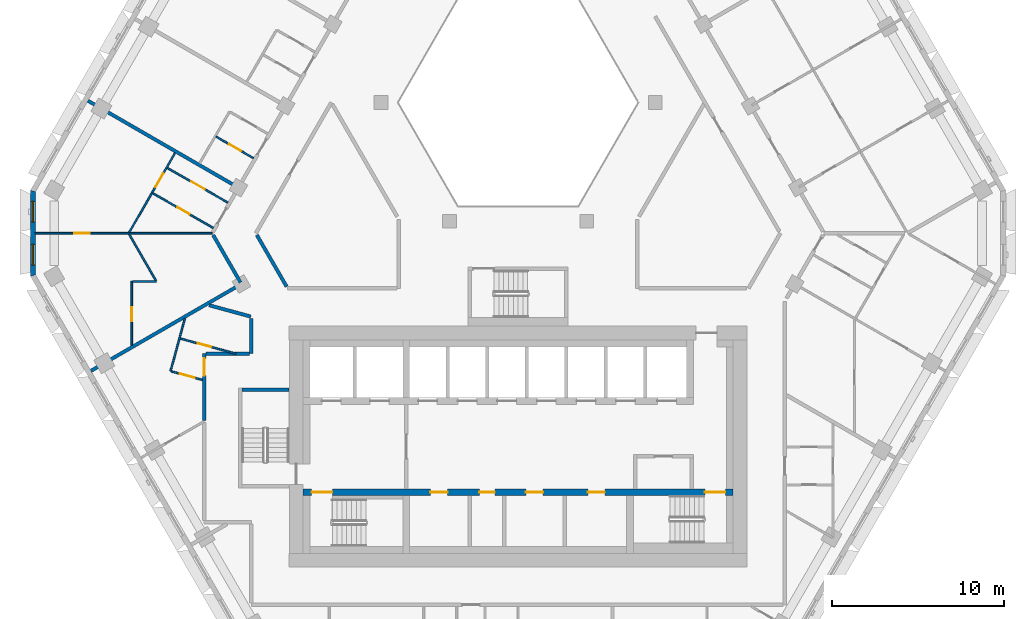
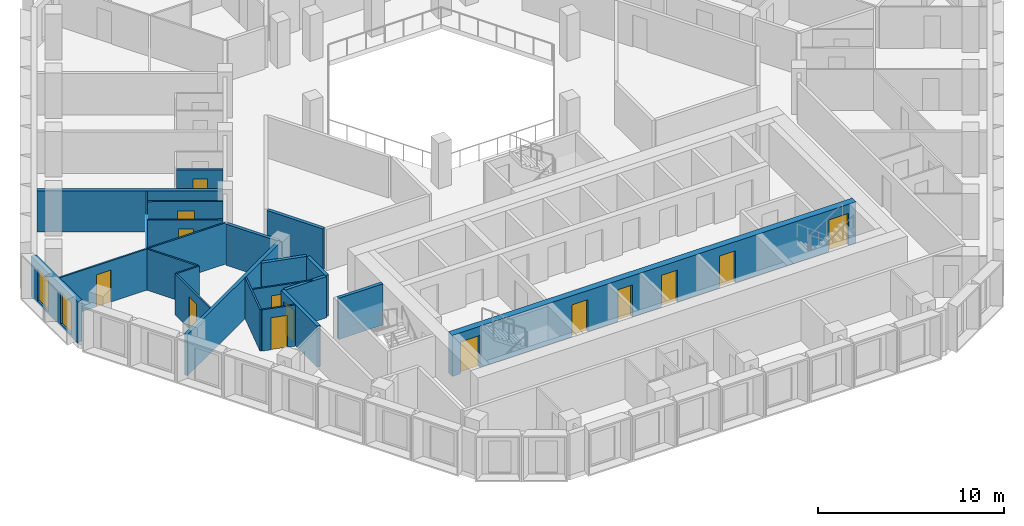
# One storey, part 4 of 17: 22 walls, 15 doors, 2 windows, 17 openings.
"""IFC4 building model written with IfcOpenShell, lengths in metres."""

import ifcopenshell
import ifcopenshell.guid

model = None  # the IFC model being written
_history = None  # IfcOwnerHistory: only IFC2X3 demands one
_inside = {}  # id of a spatial element -> (the spatial element, [elements in it])
_under = {}  # id of a project, library or spatial element -> (it, [spatial elements below it])
_declared = {}  # id of a project -> (the project, [libraries it declares])
_typed = {}  # id of a type object -> (the type object, [elements of that type])
_made_of = {}  # id of a material, layer set ... -> (it, [elements and type objects made of it])


def new_model(schema):
    """Start an empty IFC model of exactly this schema.

    Asked for "IFC4X3", IfcOpenShell would pick the latest addendum, in which some entities
    have other attributes; the version numbers below select the first issue.
    IFC2X3 requires an IfcOwnerHistory on every rooted entity: one is made here for all.
    """
    global model, _history
    if schema == "IFC4X3":
        model = ifcopenshell.file(schema_version=(4, 3, 0, 0))
    else:
        model = ifcopenshell.file(schema=schema)
    _inside.clear()
    _under.clear()
    _declared.clear()
    _typed.clear()
    _made_of.clear()
    _history = None
    if model.schema == "IFC2X3":
        org = make("IfcOrganization", Name="unknown")
        user = make(
            "IfcPersonAndOrganization",
            ThePerson=make("IfcPerson", FamilyName="unknown"),
            TheOrganization=org,
        )
        app = make(
            "IfcApplication",
            ApplicationDeveloper=org,
            Version="unknown",
            ApplicationFullName="unknown",
            ApplicationIdentifier="unknown",
        )
        _history = make(
            "IfcOwnerHistory",
            OwningUser=user,
            OwningApplication=app,
            ChangeAction="ADDED",
            CreationDate=0,
        )
    return model


def make(cls, **values):
    """One entity of the class cls with the attributes given. An attribute that is None is left unset."""
    return model.create_entity(
        cls, **{name: value for name, value in values.items() if value is not None}
    )


def rooted(cls, **values):
    """An entity with a GlobalId (a new one), such as an element, a storey or a relation."""
    return make(cls, GlobalId=ifcopenshell.guid.new(), OwnerHistory=_history, **values)


def si_unit(unit_type, name, prefix=None):
    """IfcSIUnit, for example si_unit("LENGTHUNIT", "METRE", prefix="MILLI")."""
    return make("IfcSIUnit", UnitType=unit_type, Prefix=prefix, Name=name)


def assignment(units):
    """IfcUnitAssignment: the units of a project."""
    return None if units is None else make("IfcUnitAssignment", Units=units)


def point(xyz):
    """IfcCartesianPoint."""
    return None if xyz is None else make("IfcCartesianPoint", Coordinates=xyz)


def direction(xyz):
    """IfcDirection."""
    return None if xyz is None else make("IfcDirection", DirectionRatios=xyz)


def frame(location, z_axis=None, x_axis=None):
    """IfcAxis2Placement3D, a coordinate frame: its origin and axes. An axis left out is left unset."""
    return make(
        "IfcAxis2Placement3D",
        Location=point(location),
        Axis=direction(z_axis),
        RefDirection=direction(x_axis),
    )


def frame_2d(location, x_axis=None):
    """IfcAxis2Placement2D, a coordinate frame in the plane: its origin and x axis."""
    return make(
        "IfcAxis2Placement2D", Location=point(location), RefDirection=direction(x_axis)
    )


def origin():
    """The frame at (0, 0, 0) with its axes left unset."""
    return frame((0.0, 0.0, 0.0))


def place(relative_to, where):
    """IfcLocalPlacement: puts the frame where relative to a parent placement (None: the world)."""
    return make(
        "IfcLocalPlacement", PlacementRelTo=relative_to, RelativePlacement=where
    )


def context(
    kind, dimensions, precision=None, world=None, true_north=None, identifier=None
):
    """IfcGeometricRepresentationContext, for example the 3D "Model" context."""
    return make(
        "IfcGeometricRepresentationContext",
        ContextIdentifier=identifier,
        ContextType=kind,
        CoordinateSpaceDimension=dimensions,
        Precision=precision,
        WorldCoordinateSystem=world,
        TrueNorth=true_north,
    )


def subcontext(parent, identifier, kind, view, scale=None):
    """IfcGeometricRepresentationSubContext, for example "Body" below "Model"."""
    return make(
        "IfcGeometricRepresentationSubContext",
        ContextIdentifier=identifier,
        ContextType=kind,
        ParentContext=parent,
        TargetScale=scale,
        TargetView=view,
    )


def project(units=None, contexts=None):
    """IfcProject with its units and contexts."""
    return rooted(
        "IfcProject",
        Name="project",
        RepresentationContexts=contexts,
        UnitsInContext=assignment(units),
    )


def spatial(cls, under=None, at=None, **own):
    """A site, building, storey or space (cls), placed at a placement, below another one or the project."""
    s = rooted(cls, ObjectPlacement=at, **own)
    if under is not None:
        _under.setdefault(under.id(), (under, []))[1].append(s)
    return s


def polyline(points):
    """IfcPolyline through the points."""
    return make("IfcPolyline", Points=[point(p) for p in points])


def profile(cls, at=None, kind="AREA", **sizes):
    """A parametric profile (cls). Its sizes go by their IFC names, for example OverallWidth=200.0."""
    return make(cls, ProfileType=kind, Position=at, **sizes)


def rectangle(**sizes):
    """IfcRectangleProfileDef."""
    return profile("IfcRectangleProfileDef", **sizes)


def outline(outer, holes=None, kind="AREA"):
    """IfcArbitraryClosedProfileDef: a profile drawn as a closed curve; with holes, ...WithVoids."""
    if holes is None:
        return make("IfcArbitraryClosedProfileDef", ProfileType=kind, OuterCurve=outer)
    return make(
        "IfcArbitraryProfileDefWithVoids",
        ProfileType=kind,
        OuterCurve=outer,
        InnerCurves=holes,
    )


def extrude(swept, where, along, depth):
    """IfcExtrudedAreaSolid: the profile swept, set in the frame where, extruded along a direction by depth."""
    return make(
        "IfcExtrudedAreaSolid",
        SweptArea=swept,
        Position=where,
        ExtrudedDirection=direction(along),
        Depth=depth,
    )


def shape(context_of_items, identifier, shape_type, items):
    """IfcShapeRepresentation: the items that make up one representation, for example the "Body"."""
    return make(
        "IfcShapeRepresentation",
        ContextOfItems=context_of_items,
        RepresentationIdentifier=identifier,
        RepresentationType=shape_type,
        Items=items,
    )


def material(Name=None, Category=None):
    """IfcMaterial."""
    return make("IfcMaterial", Name=Name, Category=Category)


def layer(
    of_material, thickness, ventilated=None, Name=None, Category=None, Priority=None
):
    """IfcMaterialLayer: one layer of a wall or slab, of a material (None: an air gap)."""
    return make(
        "IfcMaterialLayer",
        Material=of_material,
        LayerThickness=thickness,
        IsVentilated=ventilated,
        Name=Name,
        Category=Category,
        Priority=Priority,
    )


def layer_set(layers, Name=None):
    """IfcMaterialLayerSet."""
    return make("IfcMaterialLayerSet", MaterialLayers=layers, LayerSetName=Name)


def made_of(thing, what):
    """Note that an element or type object is made of a material, layer set ...; save() writes the relation."""
    if what is not None:
        _made_of.setdefault(what.id(), (what, []))[1].append(thing)
    return thing


def type_object(cls, material=None, **own):
    """A type object (cls), such as IfcWallType, which elements share."""
    return made_of(rooted(cls, **own), material)


def element(
    cls,
    number,
    at=None,
    inside=None,
    cuts=None,
    type_object=None,
    material=None,
    context=None,
    identifier="Body",
    shape_type=None,
    held_by="IfcProductDefinitionShape",
    body=None,
    shapes=None,
    **own,
):
    """One element of the class cls, such as IfcWall. Its Tag is "e" and its number.

    at: its placement. inside: the storey or other place that contains it. cuts: it is an
    opening in that element (IfcRelVoidsElement). A single representation is given by context,
    identifier, shape_type and body (its items); several are given by shapes. held_by: the class
    of the entity that holds the representations. save() writes the other relations.
    """
    e = rooted(cls, Tag="e%d" % number, ObjectPlacement=at, **own)
    if body is not None:
        shapes = [shape(context, identifier, shape_type, body)]
    if shapes is not None:
        e.Representation = make(held_by, Representations=shapes)
    if inside is not None:
        _inside.setdefault(inside.id(), (inside, []))[1].append(e)
    if cuts is not None:
        rooted(
            "IfcRelVoidsElement", RelatingBuildingElement=cuts, RelatedOpeningElement=e
        )
    if type_object is not None:
        _typed.setdefault(type_object.id(), (type_object, []))[1].append(e)
    return made_of(e, material)


def fill(opening, filler):
    """IfcRelFillsElement: the door or window that sits in an opening."""
    return rooted(
        "IfcRelFillsElement",
        RelatingOpeningElement=opening,
        RelatedBuildingElement=filler,
    )


def aggregate(whole, parts):
    """IfcRelAggregates: a whole, such as a stair, and the parts it consists of."""
    return rooted("IfcRelAggregates", RelatingObject=whole, RelatedObjects=parts)


def save(model, path):
    """Write the relations noted so far, then the file.

    IfcRelAggregates (storeys below a building ...), IfcRelContainedInSpatialStructure (elements
    in a storey), IfcRelDefinesByType, IfcRelAssociatesMaterial and IfcRelDeclares: one each for
    every whole, place, type object, material and project.
    """
    for whole, parts in _under.values():
        aggregate(whole, parts)
    for where, things in _inside.values():
        rooted(
            "IfcRelContainedInSpatialStructure",
            RelatedElements=things,
            RelatingStructure=where,
        )
    for kind, things in _typed.values():
        rooted("IfcRelDefinesByType", RelatedObjects=things, RelatingType=kind)
    for what, things in _made_of.values():
        rooted("IfcRelAssociatesMaterial", RelatedObjects=things, RelatingMaterial=what)
    for by, libraries in _declared.values():
        rooted("IfcRelDeclares", RelatingContext=by, RelatedDefinitions=libraries)
    model.write(path)


model = new_model("IFC4")

# Units and contexts
model_context = context("Model", 3, precision=1e-05, world=origin(), true_north=direction((0.0, 1.0)))
body_context = subcontext(model_context, "Body", "Model", "MODEL_VIEW")
ifc_project = project(units=[si_unit("LENGTHUNIT", "METRE"), si_unit("AREAUNIT", "SQUARE_METRE"), si_unit("VOLUMEUNIT", "CUBIC_METRE"), si_unit("PLANEANGLEUNIT", "RADIAN"), si_unit("MASSUNIT", "GRAM", prefix="KILO")], contexts=[model_context])

# Site, building, storey
site_placement = place(None, origin())
site = spatial("IfcSite", under=ifc_project, at=site_placement, CompositionType="ELEMENT")
building_placement = place(site_placement, origin())
building = spatial("IfcBuilding", under=site, at=building_placement, Name="Beryl Residences", CompositionType="ELEMENT")
storey_placement = place(building_placement, frame((0.0, 0.0, 132.60009765625)))
storey = spatial("IfcBuildingStorey", under=building, at=storey_placement, Name="L40", CompositionType="ELEMENT", Elevation=132.60009765625)

# Wall, openings, windows
ifc_material_1 = material(Name="Composite metal panel with mineral wool insulation")
ifc_layer_1 = layer(ifc_material_1, 0.300048828125)
ifc_layer_set_1 = layer_set([ifc_layer_1], Name="ES1 pale metal composite panel wall 300 mm")
wall_type_1 = type_object("IfcWallType", Name="ES1 pale metal composite panel wall 300 mm", PredefinedType="SOLIDWALL", material=ifc_layer_set_1)
wall_1_placement = place(storey_placement, frame((-28.197998046875, 2.89990234375, 0.0), z_axis=(0.0, 0.0, 1.0), x_axis=(0.0, -1.0, 0.0)))
wall_1 = element("IfcWall", 1, at=wall_1_placement, inside=storey, type_object=wall_type_1, Name="ES1 external wall L40 NW-SW", PredefinedType="SOLIDWALL", context=body_context, shape_type="SweptSolid", body=[
    extrude(outline(polyline([(0.0, -0.14990234375), (5.0, -0.14990234375), (4.919677734375, 0.14990234375), (0.080322265625, 0.14990234375), (0.0, -0.14990234375)])), origin(), (0.0, 0.0, 1.0), 2.699951171875),
])
opening_1_placement = place(wall_1_placement, frame((0.64990234375, 0.0, 0.14990234375)))
opening_1 = element("IfcOpeningElement", 2, at=opening_1_placement, cuts=wall_1, Name="Opening W2", PredefinedType="OPENING", context=body_context, shape_type="SweptSolid", body=[
    extrude(rectangle(XDim=1.199951171875, YDim=2.10009765625, at=frame_2d((0.60009765625, 1.050048828125))), frame((0.0, 0.159912109375, 0.0), z_axis=(0.0, -1.0, 0.0), x_axis=(1.0, 0.0, 0.0)), (0.0, 0.0, 1.0), 0.320068359375),
])
opening_2_placement = place(wall_1_placement, frame((3.14990234375, 0.0, 0.14990234375)))
opening_2 = element("IfcOpeningElement", 3, at=opening_2_placement, cuts=wall_1, Name="Opening W2", PredefinedType="OPENING", context=body_context, shape_type="SweptSolid", body=[
    extrude(rectangle(XDim=1.199951171875, YDim=2.10009765625, at=frame_2d((0.60009765625, 1.050048828125))), frame((0.0, 0.159912109375, 0.0), z_axis=(0.0, -1.0, 0.0), x_axis=(1.0, 0.0, 0.0)), (0.0, 0.0, 1.0), 0.320068359375),
])
ifc_material_2 = material(Name="Aluminium and clear glass", Category="aluminium")
window_type = type_object("IfcWindowType", Name="W2 chamfer window 1200 x 2100 mm", PartitioningType="SINGLE_PANEL", PredefinedType="WINDOW", material=ifc_material_2)
window_1_placement = place(opening_1_placement, origin())
window_1 = element("IfcWindow", 4, at=window_1_placement, inside=storey, type_object=window_type, Name="W2 window L40 NW-SW 1", OverallHeight=2.10009765625, OverallWidth=1.199951171875, PartitioningType="SINGLE_PANEL", PredefinedType="WINDOW", context=body_context, shape_type="SweptSolid", body=[
    extrude(rectangle(XDim=1.199951171875, YDim=2.10009765625, at=frame_2d((0.60009765625, 1.050048828125))), frame((0.0, 0.030029296875, 0.0), z_axis=(0.0, -1.0, 0.0), x_axis=(1.0, 0.0, 0.0)), (0.0, 0.0, 1.0), 0.06005859375),
])
fill(opening_1, window_1)
window_2_placement = place(opening_2_placement, origin())
window_2 = element("IfcWindow", 5, at=window_2_placement, inside=storey, type_object=window_type, Name="W2 window L40 NW-SW 2", OverallHeight=2.10009765625, OverallWidth=1.199951171875, PartitioningType="SINGLE_PANEL", PredefinedType="WINDOW", context=body_context, shape_type="SweptSolid", body=[
    extrude(rectangle(XDim=1.199951171875, YDim=2.10009765625, at=frame_2d((0.60009765625, 1.050048828125))), frame((0.0, 0.030029296875, 0.0), z_axis=(0.0, -1.0, 0.0), x_axis=(1.0, 0.0, 0.0)), (0.0, 0.0, 1.0), 0.06005859375),
])
fill(opening_2, window_2)

# Wall
ifc_material_3 = material(Name="Gypsum board partition on steel studs", Category="steel")
ifc_layer_2 = layer(ifc_material_3, 0.10009765625)
ifc_layer_set_2 = layer_set([ifc_layer_2], Name="PT1 partition 100 mm gypsum board on steel studs")
wall_type_2 = type_object("IfcWallType", Name="PT1 partition 100 mm gypsum board on steel studs", PredefinedType="PARTITIONING", material=ifc_layer_set_2)
wall_2_placement = place(storey_placement, frame((-22.60302734375, 0.34912109375, 0.0), z_axis=(0.0, 0.0, 1.0), x_axis=(0.499930403552, -0.866065581584, 0.0)))
element("IfcWall", 6, at=wall_2_placement, inside=storey, type_object=wall_type_2, Name="Wall PT1 L40 002", PredefinedType="PARTITIONING", context=body_context, shape_type="SweptSolid", body=[
    extrude(rectangle(XDim=3.11669921875, YDim=0.10009765625, at=frame_2d((1.558349609375, 0.0))), origin(), (0.0, 0.0, 1.0), 2.699951171875),
])

# Wall, opening, door
wall_3_placement = place(storey_placement, frame((-19.631103515625, -5.720947265625, 0.0), z_axis=(0.0, 0.0, 1.0), x_axis=(0.964816035809, -0.262925877475, 0.0)))
wall_3 = element("IfcWall", 7, at=wall_3_placement, inside=storey, type_object=wall_type_2, Name="Wall PT1 L40 008", PredefinedType="PARTITIONING", context=body_context, shape_type="SweptSolid", body=[
    extrude(rectangle(XDim=3.34375, YDim=0.10009765625, at=frame_2d((1.671875, 0.0))), origin(), (0.0, 0.0, 1.0), 2.699951171875),
])
opening_3_placement = place(wall_3_placement, frame((1.047119140625, 0.0, 0.0)))
opening_3 = element("IfcOpeningElement", 8, at=opening_3_placement, cuts=wall_3, Name="Opening D1028", PredefinedType="OPENING", context=body_context, shape_type="SweptSolid", body=[
    extrude(rectangle(XDim=0.800048828125, YDim=2.10009765625, at=frame_2d((0.39990234375, 1.050048828125))), frame((0.0, 0.06005859375, 0.0), z_axis=(0.0, -1.0, 0.0), x_axis=(1.0, 0.0, 0.0)), (0.0, 0.0, 1.0), 0.1201171875),
])
ifc_material_4 = material(Name="Timber door leaf", Category="wood")
door_type_1 = type_object("IfcDoorType", Name="D3 bathroom door 800 x 2100 mm", OperationType="SINGLE_SWING_LEFT", PredefinedType="DOOR", material=ifc_material_4)
door_1_placement = place(opening_3_placement, origin())
door_1 = element("IfcDoor", 9, at=door_1_placement, inside=storey, type_object=door_type_1, Name="Door D1028 L40 001", OperationType="SINGLE_SWING_RIGHT", OverallHeight=2.10009765625, OverallWidth=0.800048828125, PredefinedType="DOOR", context=body_context, shape_type="SweptSolid", body=[
    extrude(rectangle(XDim=0.800048828125, YDim=2.10009765625, at=frame_2d((0.39990234375, 1.050048828125))), frame((0.0, 0.02490234375, 0.0), z_axis=(0.0, -1.0, 0.0), x_axis=(1.0, 0.0, 0.0)), (0.0, 0.0, 1.0), 0.050048828125),
])
fill(opening_3, door_1)

wall_4_placement = place(storey_placement, frame((-20.15087890625, -7.631103515625, 0.0), z_axis=(0.0, 0.0, 1.0), x_axis=(0.964784947449, -0.263039930765, 0.0)))
wall_4 = element("IfcWall", 10, at=wall_4_placement, inside=storey, type_object=wall_type_2, Name="Wall PT1 L40 009", PredefinedType="PARTITIONING", context=body_context, shape_type="SweptSolid", body=[
    extrude(rectangle(XDim=1.866455078125, YDim=0.10009765625, at=frame_2d((0.93310546875, 0.0))), origin(), (0.0, 0.0, 1.0), 2.699951171875),
])
opening_4_placement = place(wall_4_placement, frame((0.510009765625, 0.0, 0.0)))
opening_4 = element("IfcOpeningElement", 11, at=opening_4_placement, cuts=wall_4, Name="Opening D1029", PredefinedType="OPENING", context=body_context, shape_type="SweptSolid", body=[
    extrude(rectangle(XDim=0.89990234375, YDim=2.10009765625, at=frame_2d((0.449951171875, 1.050048828125))), frame((0.0, 0.06005859375, 0.0), z_axis=(0.0, -1.0, 0.0), x_axis=(1.0, 0.0, 0.0)), (0.0, 0.0, 1.0), 0.1201171875),
])
ifc_material_5 = material(Name="Timber door leaf", Category="wood")
door_type_2 = type_object("IfcDoorType", Name="D2 room door 900 x 2100 mm", OperationType="SINGLE_SWING_LEFT", PredefinedType="DOOR", material=ifc_material_5)
door_2_placement = place(opening_4_placement, origin())
door_2 = element("IfcDoor", 12, at=door_2_placement, inside=storey, type_object=door_type_2, Name="Door D1029 L40 001", OperationType="SINGLE_SWING_LEFT", OverallHeight=2.10009765625, OverallWidth=0.89990234375, PredefinedType="DOOR", context=body_context, shape_type="SweptSolid", body=[
    extrude(rectangle(XDim=0.89990234375, YDim=2.10009765625, at=frame_2d((0.449951171875, 1.050048828125))), frame((0.0, 0.02490234375, 0.0), z_axis=(0.0, -1.0, 0.0), x_axis=(1.0, 0.0, 0.0)), (0.0, 0.0, 1.0), 0.050048828125),
])
fill(opening_4, door_2)

wall_5_placement = place(storey_placement, frame((-17.552978515625, 6.01708984375, 0.0), z_axis=(0.0, 0.0, 1.0), x_axis=(0.866038211682, -0.499977815414, 0.0)))
wall_5 = element("IfcWall", 13, at=wall_5_placement, inside=storey, type_object=wall_type_2, Name="Wall PT1 L40 010", PredefinedType="PARTITIONING", context=body_context, shape_type="SweptSolid", body=[
    extrude(rectangle(XDim=2.51025390625, YDim=0.10009765625, at=frame_2d((1.255126953125, 0.0))), origin(), (0.0, 0.0, 1.0), 2.699951171875),
])
opening_5_placement = place(wall_5_placement, frame((0.8798828125, 0.0, 0.0)))
opening_5 = element("IfcOpeningElement", 14, at=opening_5_placement, cuts=wall_5, Name="Opening D1020", PredefinedType="OPENING", context=body_context, shape_type="SweptSolid", body=[
    extrude(rectangle(XDim=0.800048828125, YDim=2.10009765625, at=frame_2d((0.39990234375, 1.050048828125))), frame((0.0, 0.06005859375, 0.0), z_axis=(0.0, -1.0, 0.0), x_axis=(1.0, 0.0, 0.0)), (0.0, 0.0, 1.0), 0.1201171875),
])
door_3_placement = place(opening_5_placement, origin())
door_3 = element("IfcDoor", 15, at=door_3_placement, inside=storey, type_object=door_type_1, Name="Door D1020 L40 001", OperationType="SINGLE_SWING_RIGHT", OverallHeight=2.10009765625, OverallWidth=0.800048828125, PredefinedType="DOOR", context=body_context, shape_type="SweptSolid", body=[
    extrude(rectangle(XDim=0.800048828125, YDim=2.10009765625, at=frame_2d((0.39990234375, 1.050048828125))), frame((0.0, 0.02490234375, 0.0), z_axis=(0.0, -1.0, 0.0), x_axis=(1.0, 0.0, 0.0)), (0.0, 0.0, 1.0), 0.050048828125),
])
fill(opening_5, door_3)

wall_6_placement = place(storey_placement, frame((-20.381103515625, 4.197998046875, 0.0), z_axis=(0.0, 0.0, 1.0), x_axis=(0.867459321792, -0.497508115549, 0.0)))
wall_6 = element("IfcWall", 16, at=wall_6_placement, inside=storey, type_object=wall_type_2, Name="Wall PT1 L40 012", PredefinedType="PARTITIONING", context=body_context, shape_type="SweptSolid", body=[
    extrude(rectangle(XDim=4.050048828125, YDim=0.10009765625, at=frame_2d((2.02490234375, 0.0))), origin(), (0.0, 0.0, 1.0), 2.699951171875),
])
opening_6_placement = place(wall_6_placement, frame((1.60009765625, 0.0, 0.0)))
opening_6 = element("IfcOpeningElement", 17, at=opening_6_placement, cuts=wall_6, Name="Opening D1022", PredefinedType="OPENING", context=body_context, shape_type="SweptSolid", body=[
    extrude(rectangle(XDim=0.89990234375, YDim=2.10009765625, at=frame_2d((0.449951171875, 1.050048828125))), frame((0.0, 0.06005859375, 0.0), z_axis=(0.0, -1.0, 0.0), x_axis=(1.0, 0.0, 0.0)), (0.0, 0.0, 1.0), 0.1201171875),
])
door_4_placement = place(opening_6_placement, origin())
door_4 = element("IfcDoor", 18, at=door_4_placement, inside=storey, type_object=door_type_2, Name="Door D1022 L40 001", OperationType="SINGLE_SWING_RIGHT", OverallHeight=2.10009765625, OverallWidth=0.89990234375, PredefinedType="DOOR", context=body_context, shape_type="SweptSolid", body=[
    extrude(rectangle(XDim=0.89990234375, YDim=2.10009765625, at=frame_2d((0.449951171875, 1.050048828125))), frame((0.0, 0.02490234375, 0.0), z_axis=(0.0, -1.0, 0.0), x_axis=(1.0, 0.0, 0.0)), (0.0, 0.0, 1.0), 0.050048828125),
])
fill(opening_6, door_4)

wall_7_placement = place(storey_placement, frame((-21.23095703125, 2.72607421875, 0.0), z_axis=(0.0, 0.0, 1.0), x_axis=(0.867314299312, -0.497760892607, 0.0)))
wall_7 = element("IfcWall", 19, at=wall_7_placement, inside=storey, type_object=wall_type_2, Name="Wall PT1 L40 013", PredefinedType="PARTITIONING", context=body_context, shape_type="SweptSolid", body=[
    extrude(rectangle(XDim=4.05029296875, YDim=0.10009765625, at=frame_2d((2.025146484375, 0.0))), origin(), (0.0, 0.0, 1.0), 2.699951171875),
])
opening_7_placement = place(wall_7_placement, frame((1.64990234375, 0.0, 0.0)))
opening_7 = element("IfcOpeningElement", 20, at=opening_7_placement, cuts=wall_7, Name="Opening D1023", PredefinedType="OPENING", context=body_context, shape_type="SweptSolid", body=[
    extrude(rectangle(XDim=0.800048828125, YDim=2.10009765625, at=frame_2d((0.39990234375, 1.050048828125))), frame((0.0, 0.06005859375, 0.0), z_axis=(0.0, -1.0, 0.0), x_axis=(1.0, 0.0, 0.0)), (0.0, 0.0, 1.0), 0.1201171875),
])
door_5_placement = place(opening_7_placement, origin())
door_5 = element("IfcDoor", 21, at=door_5_placement, inside=storey, type_object=door_type_1, Name="Door D1023 L40 001", OperationType="SINGLE_SWING_LEFT", OverallHeight=2.10009765625, OverallWidth=0.800048828125, PredefinedType="DOOR", context=body_context, shape_type="SweptSolid", body=[
    extrude(rectangle(XDim=0.800048828125, YDim=2.10009765625, at=frame_2d((0.39990234375, 1.050048828125))), frame((0.0, 0.02490234375, 0.0), z_axis=(0.0, -1.0, 0.0), x_axis=(1.0, 0.0, 0.0)), (0.0, 0.0, 1.0), 0.050048828125),
])
fill(opening_7, door_5)

# Wall
wall_8_placement = place(storey_placement, frame((-22.39990234375, -2.39990234375, 0.0), z_axis=(0.0, 0.0, 1.0), x_axis=(1.0, 0.0, 0.0)))
element("IfcWall", 22, at=wall_8_placement, inside=storey, type_object=wall_type_2, Name="Wall PT1 L40 025", PredefinedType="PARTITIONING", context=body_context, shape_type="SweptSolid", body=[
    extrude(rectangle(XDim=1.3837890625, YDim=0.10009765625, at=frame_2d((0.69189453125, 0.0))), origin(), (0.0, 0.0, 1.0), 2.699951171875),
])

# Wall, opening, door
wall_9_placement = place(storey_placement, frame((-28.048095703125, 0.39892578125, 0.0), z_axis=(0.0, 0.0, 1.0), x_axis=(1.0, 0.0, 0.0)))
wall_9 = element("IfcWall", 23, at=wall_9_placement, inside=storey, type_object=wall_type_2, Name="Wall PT1 L40 026", PredefinedType="PARTITIONING", context=body_context, shape_type="SweptSolid", body=[
    extrude(rectangle(XDim=10.26611328125, YDim=0.10009765625, at=frame_2d((5.133056640625, 0.0))), origin(), (0.0, 0.0, 1.0), 2.699951171875),
])
opening_8_placement = place(wall_9_placement, frame((2.258056640625, 0.0, 0.0)))
opening_8 = element("IfcOpeningElement", 24, at=opening_8_placement, cuts=wall_9, Name="Opening D1025", PredefinedType="OPENING", context=body_context, shape_type="SweptSolid", body=[
    extrude(rectangle(XDim=0.89990234375, YDim=2.10009765625, at=frame_2d((0.449951171875, 1.050048828125))), frame((0.0, 0.06005859375, 0.0), z_axis=(0.0, -1.0, 0.0), x_axis=(1.0, 0.0, 0.0)), (0.0, 0.0, 1.0), 0.1201171875),
])
door_6_placement = place(opening_8_placement, origin())
door_6 = element("IfcDoor", 25, at=door_6_placement, inside=storey, type_object=door_type_2, Name="Door D1025 L40 001", OperationType="SINGLE_SWING_LEFT", OverallHeight=2.10009765625, OverallWidth=0.89990234375, PredefinedType="DOOR", context=body_context, shape_type="SweptSolid", body=[
    extrude(rectangle(XDim=0.89990234375, YDim=2.10009765625, at=frame_2d((0.449951171875, 1.050048828125))), frame((0.0, 0.02490234375, 0.0), z_axis=(0.0, -1.0, 0.0), x_axis=(1.0, 0.0, 0.0)), (0.0, 0.0, 1.0), 0.050048828125),
])
fill(opening_8, door_6)

wall_10_placement = place(storey_placement, frame((-22.60302734375, 0.448974609375, 0.0), z_axis=(0.0, 0.0, 1.0), x_axis=(0.500022588228, 0.866012362072, 0.0)))
wall_10 = element("IfcWall", 26, at=wall_10_placement, inside=storey, type_object=wall_type_2, Name="Wall PT1 L40 036", PredefinedType="PARTITIONING", context=body_context, shape_type="SweptSolid", body=[
    extrude(rectangle(XDim=5.327880859375, YDim=0.10009765625, at=frame_2d((2.6640625, 0.0))), origin(), (0.0, 0.0, 1.0), 2.699951171875),
])
opening_9_placement = place(wall_10_placement, frame((3.05810546875, 0.0, 0.0)))
opening_9 = element("IfcOpeningElement", 27, at=opening_9_placement, cuts=wall_10, Name="Opening D1024", PredefinedType="OPENING", context=body_context, shape_type="SweptSolid", body=[
    extrude(rectangle(XDim=0.89990234375, YDim=2.10009765625, at=frame_2d((0.449951171875, 1.050048828125))), frame((0.0, 0.06005859375, 0.0), z_axis=(0.0, -1.0, 0.0), x_axis=(1.0, 0.0, 0.0)), (0.0, 0.0, 1.0), 0.1201171875),
])
door_7_placement = place(opening_9_placement, origin())
door_7 = element("IfcDoor", 28, at=door_7_placement, inside=storey, type_object=door_type_2, Name="Door D1024 L40 001", OperationType="SINGLE_SWING_RIGHT", OverallHeight=2.10009765625, OverallWidth=0.89990234375, PredefinedType="DOOR", context=body_context, shape_type="SweptSolid", body=[
    extrude(rectangle(XDim=0.89990234375, YDim=2.10009765625, at=frame_2d((0.449951171875, 1.050048828125))), frame((0.0, 0.02490234375, 0.0), z_axis=(0.0, -1.0, 0.0), x_axis=(1.0, 0.0, 0.0)), (0.0, 0.0, 1.0), 0.050048828125),
])
fill(opening_9, door_7)

# Wall
wall_11_placement = place(storey_placement, frame((-20.199951171875, -7.616943359375, 0.0), z_axis=(0.0, 0.0, 1.0), x_axis=(0.263150035392, 0.964754921663, 0.0)))
element("IfcWall", 29, at=wall_11_placement, inside=storey, type_object=wall_type_2, Name="Wall PT1 L40 039", PredefinedType="PARTITIONING", context=body_context, shape_type="SweptSolid", body=[
    extrude(rectangle(XDim=3.16552734375, YDim=0.10009765625, at=frame_2d((1.582763671875, 0.0))), origin(), (0.0, 0.0, 1.0), 2.699951171875),
])

# Wall, opening, door
wall_12_placement = place(storey_placement, frame((-22.449951171875, -6.112060546875, 0.0), z_axis=(0.0, 0.0, 1.0), x_axis=(0.0, 1.0, 0.0)))
wall_12 = element("IfcWall", 30, at=wall_12_placement, inside=storey, type_object=wall_type_2, Name="Wall PT1 L40 049", PredefinedType="PARTITIONING", context=body_context, shape_type="SweptSolid", body=[
    extrude(rectangle(XDim=3.712158203125, YDim=0.10009765625, at=frame_2d((1.85595703125, 0.0))), origin(), (0.0, 0.0, 1.0), 2.699951171875),
])
opening_10_placement = place(wall_12_placement, frame((1.39794921875, 0.0, 0.0)))
opening_10 = element("IfcOpeningElement", 31, at=opening_10_placement, cuts=wall_12, Name="Opening D1026", PredefinedType="OPENING", context=body_context, shape_type="SweptSolid", body=[
    extrude(rectangle(XDim=0.800048828125, YDim=2.10009765625, at=frame_2d((0.39990234375, 1.050048828125))), frame((0.0, 0.06005859375, 0.0), z_axis=(0.0, -1.0, 0.0), x_axis=(1.0, 0.0, 0.0)), (0.0, 0.0, 1.0), 0.1201171875),
])
door_8_placement = place(opening_10_placement, origin())
door_8 = element("IfcDoor", 32, at=door_8_placement, inside=storey, type_object=door_type_1, Name="Door D1026 L40 001", OperationType="SINGLE_SWING_RIGHT", OverallHeight=2.10009765625, OverallWidth=0.800048828125, PredefinedType="DOOR", context=body_context, shape_type="SweptSolid", body=[
    extrude(rectangle(XDim=0.800048828125, YDim=2.10009765625, at=frame_2d((0.39990234375, 1.050048828125))), frame((0.0, 0.02490234375, 0.0), z_axis=(0.0, -1.0, 0.0), x_axis=(1.0, 0.0, 0.0)), (0.0, 0.0, 1.0), 0.050048828125),
])
fill(opening_10, door_8)

# Walls
ifc_material_6 = material(Name="Acoustic double stud gypsum board wall")
ifc_layer_3 = layer(ifc_material_6, 0.199951171875)
ifc_layer_set_3 = layer_set([ifc_layer_3], Name="PT3 party wall 200 mm acoustic double stud")
wall_type_3 = type_object("IfcWallType", Name="PT3 party wall 200 mm acoustic double stud", PredefinedType="PARTITIONING", material=ifc_layer_set_3)
wall_13_placement = place(storey_placement, frame((-17.9560546875, -3.782958984375, 0.0), z_axis=(0.0, 0.0, 1.0), x_axis=(0.964815336827, -0.2629284424, 0.0)))
element("IfcWall", 33, at=wall_13_placement, inside=storey, type_object=wall_type_3, Name="Wall PT3 L40 001", PredefinedType="PARTITIONING", context=body_context, shape_type="SweptSolid", body=[
    extrude(rectangle(XDim=2.514404296875, YDim=0.199951171875, at=frame_2d((1.25732421875, 0.0))), origin(), (0.0, 0.0, 1.0), 2.699951171875),
])
wall_14_placement = place(storey_placement, frame((-24.9990234375, 8.10009765625, 0.0), z_axis=(0.0, 0.0, 1.0), x_axis=(0.866016855193, -0.500014806302, 0.0)))
element("IfcWall", 34, at=wall_14_placement, inside=storey, type_object=wall_type_3, Name="Wall PT3 L40 002", PredefinedType="PARTITIONING", context=body_context, shape_type="SweptSolid", body=[
    extrude(rectangle(XDim=9.999755859375, YDim=0.199951171875, at=frame_2d((5.0, 0.0))), origin(), (0.0, 0.0, 1.0), 2.699951171875),
])
wall_15_placement = place(storey_placement, frame((-24.825927734375, -7.59912109375, 0.0), z_axis=(0.0, 0.0, 1.0), x_axis=(0.86599621094, 0.500050560081, 0.0)))
element("IfcWall", 35, at=wall_15_placement, inside=storey, type_object=wall_type_3, Name="Wall PT3 L40 013", PredefinedType="PARTITIONING", context=body_context, shape_type="SweptSolid", body=[
    extrude(rectangle(XDim=10.0693359375, YDim=0.199951171875, at=frame_2d((5.03466796875, 0.0))), origin(), (0.0, 0.0, 1.0), 2.699951171875),
])
ifc_material_7 = material(Name="Double stud gypsum board wall")
ifc_layer_4 = layer(ifc_material_7, 0.199951171875)
ifc_layer_set_4 = layer_set([ifc_layer_4], Name="PT4 corridor wall 200 mm double stud")
wall_type_4 = type_object("IfcWallType", Name="PT4 corridor wall 200 mm double stud", PredefinedType="PARTITIONING", material=ifc_layer_set_4)
wall_16_placement = place(storey_placement, frame((-15.18408203125, 0.299072265625, 0.0), z_axis=(0.0, 0.0, 1.0), x_axis=(0.500149577091, -0.865939028186, 0.0)))
element("IfcWall", 36, at=wall_16_placement, inside=storey, type_object=wall_type_4, Name="Wall PT4 L40 002", PredefinedType="PARTITIONING", context=body_context, shape_type="SweptSolid", body=[
    extrude(rectangle(XDim=3.46337890625, YDim=0.199951171875, at=frame_2d((1.731689453125, 0.0))), origin(), (0.0, 0.0, 1.0), 2.699951171875),
])
wall_17_placement = place(storey_placement, frame((-17.72412109375, 0.299072265625, 0.0), z_axis=(0.0, 0.0, 1.0), x_axis=(0.499910220442, -0.866077231832, 0.0)))
element("IfcWall", 37, at=wall_17_placement, inside=storey, type_object=wall_type_4, Name="Wall PT4 L40 003", PredefinedType="PARTITIONING", context=body_context, shape_type="SweptSolid", body=[
    extrude(rectangle(XDim=3.18896484375, YDim=0.199951171875, at=frame_2d((1.594482421875, 0.0))), origin(), (0.0, 0.0, 1.0), 2.699951171875),
])
wall_18_placement = place(storey_placement, frame((-18.14990234375, -6.60009765625, 0.0), z_axis=(0.0, 0.0, 1.0), x_axis=(1.0, 0.0, 0.0)))
element("IfcWall", 38, at=wall_18_placement, inside=storey, type_object=wall_type_4, Name="Wall PT4 L40 009", PredefinedType="PARTITIONING", context=body_context, shape_type="SweptSolid", body=[
    extrude(rectangle(XDim=2.5498046875, YDim=0.199951171875, at=frame_2d((1.27490234375, 0.0))), origin(), (0.0, 0.0, 1.0), 2.699951171875),
])
wall_19_placement = place(storey_placement, frame((-15.5, -6.60009765625, 0.0), z_axis=(0.0, 0.0, 1.0), x_axis=(0.0, 1.0, 0.0)))
element("IfcWall", 39, at=wall_19_placement, inside=storey, type_object=wall_type_4, Name="Wall PT4 L40 026", PredefinedType="PARTITIONING", context=body_context, shape_type="SweptSolid", body=[
    extrude(rectangle(XDim=2.044189453125, YDim=0.199951171875, at=frame_2d((1.02197265625, 0.0))), origin(), (0.0, 0.0, 1.0), 2.699951171875),
])

# Wall, opening, door
wall_20_placement = place(storey_placement, frame((-18.25, -10.47802734375, 0.0), z_axis=(0.0, 0.0, 1.0), x_axis=(0.0, 1.0, 0.0)))
wall_20 = element("IfcWall", 40, at=wall_20_placement, inside=storey, type_object=wall_type_4, Name="Wall PT4 L40 027", PredefinedType="PARTITIONING", context=body_context, shape_type="SweptSolid", body=[
    extrude(rectangle(XDim=3.8779296875, YDim=0.199951171875, at=frame_2d((1.93896484375, 0.0))), origin(), (0.0, 0.0, 1.0), 2.699951171875),
])
opening_11_placement = place(wall_20_placement, frame((2.60791015625, 0.0, 0.0)))
opening_11 = element("IfcOpeningElement", 41, at=opening_11_placement, cuts=wall_20, Name="Opening D1027", PredefinedType="OPENING", context=body_context, shape_type="SweptSolid", body=[
    extrude(rectangle(XDim=1.0, YDim=2.10009765625, at=frame_2d((0.5, 1.050048828125))), frame((0.0, 0.10986328125, 0.0), z_axis=(0.0, -1.0, 0.0), x_axis=(1.0, 0.0, 0.0)), (0.0, 0.0, 1.0), 0.219970703125),
])
ifc_material_8 = material(Name="Timber door leaf", Category="wood")
door_type_3 = type_object("IfcDoorType", Name="D1 flat entrance door 1000 x 2100 mm", OperationType="SINGLE_SWING_LEFT", PredefinedType="DOOR", material=ifc_material_8)
door_9_placement = place(opening_11_placement, origin())
door_9 = element("IfcDoor", 42, at=door_9_placement, inside=storey, type_object=door_type_3, Name="Door D1027 L40 001", OperationType="SINGLE_SWING_LEFT", OverallHeight=2.10009765625, OverallWidth=1.0, PredefinedType="DOOR", context=body_context, shape_type="SweptSolid", body=[
    extrude(rectangle(XDim=1.0, YDim=2.10009765625, at=frame_2d((0.5, 1.050048828125))), frame((0.0, 0.02490234375, 0.0), z_axis=(0.0, -1.0, 0.0), x_axis=(1.0, 0.0, 0.0)), (0.0, 0.0, 1.0), 0.050048828125),
])
fill(opening_11, door_9)

# Wall
ifc_material_9 = material(Name="Concrete C40/50", Category="concrete")
ifc_layer_5 = layer(ifc_material_9, 0.199951171875)
ifc_layer_set_5 = layer_set([ifc_layer_5], Name="PT5 stair enclosure wall 200 mm reinforced concrete C40/50")
wall_type_5 = type_object("IfcWallType", Name="PT5 stair enclosure wall 200 mm reinforced concrete C40/50", PredefinedType="SOLIDWALL", material=ifc_layer_set_5)
wall_21_placement = place(storey_placement, frame((-16.050048828125, -8.699951171875, 0.0), z_axis=(0.0, 0.0, 1.0), x_axis=(1.0, 0.0, 0.0)))
element("IfcWall", 43, at=wall_21_placement, inside=storey, type_object=wall_type_5, Name="Stair wall 03", PredefinedType="SOLIDWALL", context=body_context, shape_type="SweptSolid", body=[
    extrude(rectangle(XDim=2.75, YDim=0.199951171875, at=frame_2d((1.375, 0.0))), origin(), (0.0, 0.0, 1.0), 2.699951171875),
])

# Wall, openings, doors
ifc_material_10 = material(Name="Concrete C60/75", Category="concrete")
ifc_layer_6 = layer(ifc_material_10, 0.39990234375)
ifc_layer_set_6 = layer_set([ifc_layer_6], Name="SW8 core internal wall 400 mm C60/75")
wall_type_6 = type_object("IfcWallType", Name="SW8 core internal wall 400 mm C60/75", PredefinedType="SHEAR", material=ifc_layer_set_6)
wall_22_placement = place(storey_placement, frame((-12.5, -14.64990234375, 0.0), z_axis=(0.0, 0.0, 1.0), x_axis=(1.0, 0.0, 0.0)))
wall_22 = element("IfcWall", 44, at=wall_22_placement, inside=storey, type_object=wall_type_6, Name="Core wall SP1 L40", PredefinedType="SHEAR", context=body_context, shape_type="SweptSolid", body=[
    extrude(rectangle(XDim=25.0, YDim=0.39990234375, at=frame_2d((12.5, 0.0))), origin(), (0.0, 0.0, 1.0), 2.699951171875),
])
opening_12_placement = place(wall_22_placement, frame((1.699951171875, 0.0, 0.0), z_axis=(0.0, 0.0, 1.0), x_axis=(-1.0, 0.0, 0.0)))
opening_12 = element("IfcOpeningElement", 45, at=opening_12_placement, cuts=wall_22, Name="Opening SD-1", PredefinedType="OPENING", context=body_context, shape_type="SweptSolid", body=[
    extrude(rectangle(XDim=1.199951171875, YDim=2.10009765625, at=frame_2d((0.60009765625, 1.050048828125))), frame((0.0, 0.2099609375, 0.0), z_axis=(0.0, -1.0, 0.0), x_axis=(1.0, 0.0, 0.0)), (0.0, 0.0, 1.0), 0.419921875),
])
opening_13_placement = place(wall_22_placement, frame((24.550048828125, 0.0, 0.0), z_axis=(0.0, 0.0, 1.0), x_axis=(-1.0, 0.0, 0.0)))
opening_13 = element("IfcOpeningElement", 46, at=opening_13_placement, cuts=wall_22, Name="Opening SD-3", PredefinedType="OPENING", context=body_context, shape_type="SweptSolid", body=[
    extrude(rectangle(XDim=1.199951171875, YDim=2.10009765625, at=frame_2d((0.60009765625, 1.050048828125))), frame((0.0, 0.2099609375, 0.0), z_axis=(0.0, -1.0, 0.0), x_axis=(1.0, 0.0, 0.0)), (0.0, 0.0, 1.0), 0.419921875),
])
opening_14_placement = place(wall_22_placement, frame((8.39990234375, 0.0, 0.0), z_axis=(0.0, 0.0, 1.0), x_axis=(-1.0, 0.0, 0.0)))
opening_14 = element("IfcOpeningElement", 47, at=opening_14_placement, cuts=wall_22, Name="Opening CD-D-S1", PredefinedType="OPENING", context=body_context, shape_type="SweptSolid", body=[
    extrude(rectangle(XDim=1.0, YDim=2.10009765625, at=frame_2d((0.5, 1.050048828125))), frame((0.0, 0.2099609375, 0.0), z_axis=(0.0, -1.0, 0.0), x_axis=(1.0, 0.0, 0.0)), (0.0, 0.0, 1.0), 0.419921875),
])
opening_15_placement = place(wall_22_placement, frame((11.14990234375, 0.0, 0.0), z_axis=(0.0, 0.0, 1.0), x_axis=(-1.0, 0.0, 0.0)))
opening_15 = element("IfcOpeningElement", 48, at=opening_15_placement, cuts=wall_22, Name="Opening CD-D-S2-900", PredefinedType="OPENING", context=body_context, shape_type="SweptSolid", body=[
    extrude(rectangle(XDim=0.89990234375, YDim=2.10009765625, at=frame_2d((0.449951171875, 1.050048828125))), frame((0.0, 0.2099609375, 0.0), z_axis=(0.0, -1.0, 0.0), x_axis=(1.0, 0.0, 0.0)), (0.0, 0.0, 1.0), 0.419921875),
])
opening_16_placement = place(wall_22_placement, frame((13.949951171875, 0.0, 0.0), z_axis=(0.0, 0.0, 1.0), x_axis=(-1.0, 0.0, 0.0)))
opening_16 = element("IfcOpeningElement", 49, at=opening_16_placement, cuts=wall_22, Name="Opening CD-D-S3", PredefinedType="OPENING", context=body_context, shape_type="SweptSolid", body=[
    extrude(rectangle(XDim=1.0, YDim=2.10009765625, at=frame_2d((0.5, 1.050048828125))), frame((0.0, 0.2099609375, 0.0), z_axis=(0.0, -1.0, 0.0), x_axis=(1.0, 0.0, 0.0)), (0.0, 0.0, 1.0), 0.419921875),
])
opening_17_placement = place(wall_22_placement, frame((17.550048828125, 0.0, 0.0), z_axis=(0.0, 0.0, 1.0), x_axis=(-1.0, 0.0, 0.0)))
opening_17 = element("IfcOpeningElement", 50, at=opening_17_placement, cuts=wall_22, Name="Opening CD-D-S4", PredefinedType="OPENING", context=body_context, shape_type="SweptSolid", body=[
    extrude(rectangle(XDim=1.0, YDim=2.10009765625, at=frame_2d((0.5, 1.050048828125))), frame((0.0, 0.2099609375, 0.0), z_axis=(0.0, -1.0, 0.0), x_axis=(1.0, 0.0, 0.0)), (0.0, 0.0, 1.0), 0.419921875),
])
ifc_material_11 = material(Name="Steel door leaf in steel frame", Category="steel")
door_type_4 = type_object("IfcDoorType", Name="D18 service room door 1000 x 2100 mm", OperationType="SINGLE_SWING_LEFT", PredefinedType="DOOR", material=ifc_material_11)
door_10_placement = place(opening_14_placement, origin())
door_10 = element("IfcDoor", 51, at=door_10_placement, inside=storey, type_object=door_type_4, Name="Door CD-D-S1 L40 001", OperationType="SINGLE_SWING_RIGHT", OverallHeight=2.10009765625, OverallWidth=1.0, PredefinedType="DOOR", context=body_context, shape_type="SweptSolid", body=[
    extrude(rectangle(XDim=1.0, YDim=2.10009765625, at=frame_2d((0.5, 1.050048828125))), frame((0.0, 0.02490234375, 0.0), z_axis=(0.0, -1.0, 0.0), x_axis=(1.0, 0.0, 0.0)), (0.0, 0.0, 1.0), 0.050048828125),
])
fill(opening_14, door_10)
door_11_placement = place(opening_16_placement, origin())
door_11 = element("IfcDoor", 52, at=door_11_placement, inside=storey, type_object=door_type_4, Name="Door CD-D-S3 L40 001", OperationType="SINGLE_SWING_RIGHT", OverallHeight=2.10009765625, OverallWidth=1.0, PredefinedType="DOOR", context=body_context, shape_type="SweptSolid", body=[
    extrude(rectangle(XDim=1.0, YDim=2.10009765625, at=frame_2d((0.5, 1.050048828125))), frame((0.0, 0.02490234375, 0.0), z_axis=(0.0, -1.0, 0.0), x_axis=(1.0, 0.0, 0.0)), (0.0, 0.0, 1.0), 0.050048828125),
])
fill(opening_16, door_11)
door_12_placement = place(opening_17_placement, origin())
door_12 = element("IfcDoor", 53, at=door_12_placement, inside=storey, type_object=door_type_4, Name="Door CD-D-S4 L40 001", OperationType="SINGLE_SWING_LEFT", OverallHeight=2.10009765625, OverallWidth=1.0, PredefinedType="DOOR", context=body_context, shape_type="SweptSolid", body=[
    extrude(rectangle(XDim=1.0, YDim=2.10009765625, at=frame_2d((0.5, 1.050048828125))), frame((0.0, 0.02490234375, 0.0), z_axis=(0.0, -1.0, 0.0), x_axis=(1.0, 0.0, 0.0)), (0.0, 0.0, 1.0), 0.050048828125),
])
fill(opening_17, door_12)
ifc_material_12 = material(Name="Steel door leaf in steel frame", Category="steel")
door_type_5 = type_object("IfcDoorType", Name="D4 stair door 1200 x 2100 mm", OperationType="SINGLE_SWING_LEFT", PredefinedType="DOOR", material=ifc_material_12)
door_13_placement = place(opening_12_placement, origin())
door_13 = element("IfcDoor", 54, at=door_13_placement, inside=storey, type_object=door_type_5, Name="Door SD-1 L40 001", OperationType="SINGLE_SWING_RIGHT", OverallHeight=2.10009765625, OverallWidth=1.199951171875, PredefinedType="DOOR", context=body_context, shape_type="SweptSolid", body=[
    extrude(rectangle(XDim=1.199951171875, YDim=2.10009765625, at=frame_2d((0.60009765625, 1.050048828125))), frame((0.0, 0.02490234375, 0.0), z_axis=(0.0, -1.0, 0.0), x_axis=(1.0, 0.0, 0.0)), (0.0, 0.0, 1.0), 0.050048828125),
])
fill(opening_12, door_13)
door_14_placement = place(opening_13_placement, origin())
door_14 = element("IfcDoor", 55, at=door_14_placement, inside=storey, type_object=door_type_5, Name="Door SD-3 L40 001", OperationType="SINGLE_SWING_RIGHT", OverallHeight=2.10009765625, OverallWidth=1.199951171875, PredefinedType="DOOR", context=body_context, shape_type="SweptSolid", body=[
    extrude(rectangle(XDim=1.199951171875, YDim=2.10009765625, at=frame_2d((0.60009765625, 1.050048828125))), frame((0.0, 0.02490234375, 0.0), z_axis=(0.0, -1.0, 0.0), x_axis=(1.0, 0.0, 0.0)), (0.0, 0.0, 1.0), 0.050048828125),
])
fill(opening_13, door_14)
ifc_material_13 = material(Name="Steel door leaf in steel frame", Category="steel")
door_type_6 = type_object("IfcDoorType", Name="D6 service room door 900 x 2100 mm", OperationType="SINGLE_SWING_LEFT", PredefinedType="DOOR", material=ifc_material_13)
door_15_placement = place(opening_15_placement, origin())
door_15 = element("IfcDoor", 56, at=door_15_placement, inside=storey, type_object=door_type_6, Name="Door CD-D-S2-900 L40 001", OperationType="SINGLE_SWING_LEFT", OverallHeight=2.10009765625, OverallWidth=0.89990234375, PredefinedType="DOOR", context=body_context, shape_type="SweptSolid", body=[
    extrude(rectangle(XDim=0.89990234375, YDim=2.10009765625, at=frame_2d((0.449951171875, 1.050048828125))), frame((0.0, 0.02490234375, 0.0), z_axis=(0.0, -1.0, 0.0), x_axis=(1.0, 0.0, 0.0)), (0.0, 0.0, 1.0), 0.050048828125),
])
fill(opening_15, door_15)

save(model, "model.ifc")
